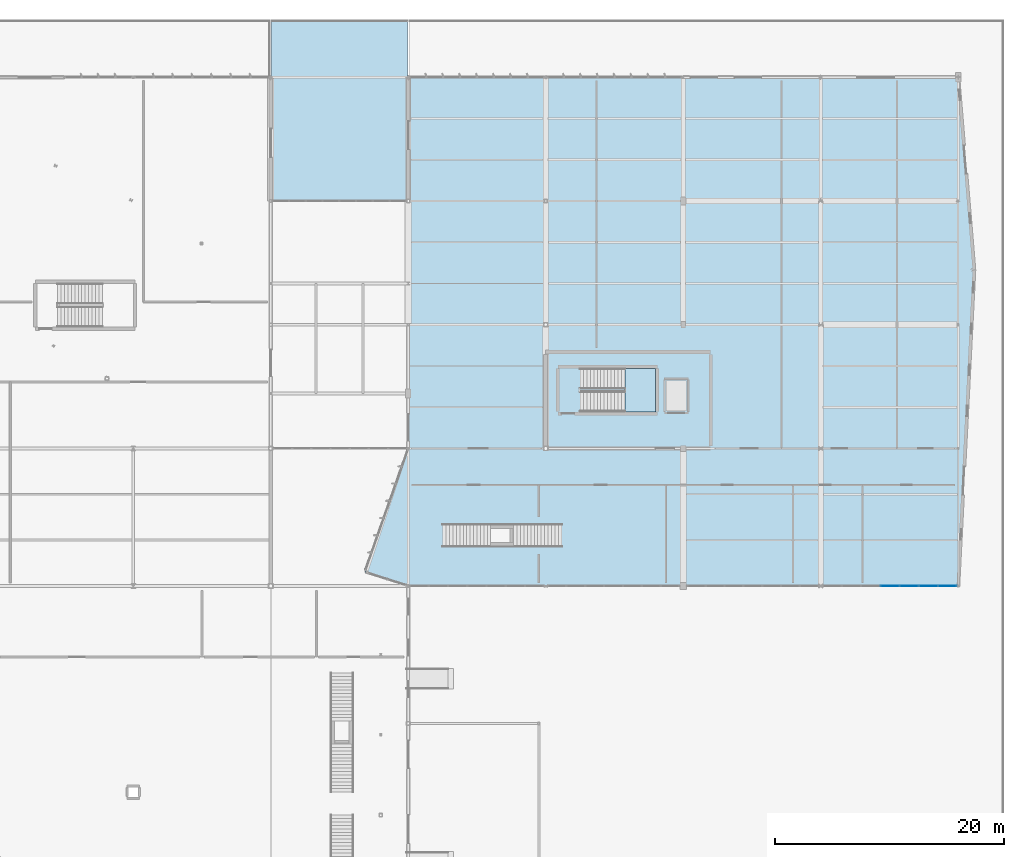
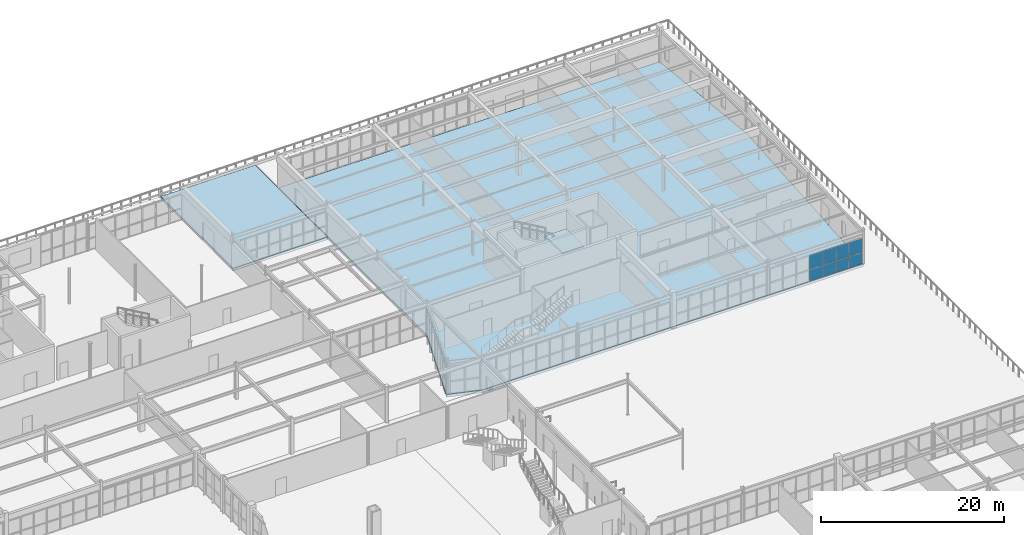
# One storey, part 127 of 199: 8 plates, 3 slabs, 2 elements without a shape of their own.
"""IFC4 building model written with IfcOpenShell, lengths in metres."""

from ifc_helpers import new_model, si_unit, direction, frame, origin, origin_2d, place, context, subcontext, project, spatial, polyline, rectangle, outline, extrude, material, layer, layer_set, type_object, element, aggregate, save


model = new_model("IFC4")

# Units and contexts
model_context = context("Model", 3, precision=1e-05, world=origin(), true_north=direction((0.0, 1.0)))
body_context = subcontext(model_context, "Body", "Model", "MODEL_VIEW")
ifc_project = project(units=[si_unit("LENGTHUNIT", "METRE"), si_unit("AREAUNIT", "SQUARE_METRE"), si_unit("VOLUMEUNIT", "CUBIC_METRE"), si_unit("PLANEANGLEUNIT", "RADIAN"), si_unit("MASSUNIT", "GRAM", prefix="KILO")], contexts=[model_context])

# Site, building, storey
site_placement = place(None, origin())
site = spatial("IfcSite", under=ifc_project, at=site_placement, CompositionType="ELEMENT")
building_placement = place(site_placement, origin())
building = spatial("IfcBuilding", under=site, at=building_placement, Name="Tarnwether General Hospital", CompositionType="ELEMENT")
storey_placement = place(building_placement, origin())
storey = spatial("IfcBuildingStorey", under=building, at=storey_placement, Name="L00", CompositionType="ELEMENT", Elevation=0.0)

# Curtain wall, plates
ifc_material_1 = material(Name="Anodised aluminium", Category="aluminium")
ifc_layer_1 = layer(ifc_material_1, 0.159912109375)
ifc_layer_set_1 = layer_set([ifc_layer_1], Name="Anodised aluminium")
curtain_wall_type = type_object("IfcCurtainWallType", Name="CW-20", PredefinedType="NOTDEFINED", material=ifc_layer_set_1)
curtain_wall_placement = place(storey_placement, origin())
curtain_wall = element("IfcCurtainWall", 1, at=curtain_wall_placement, inside=storey, type_object=curtain_wall_type, Name="Curtain Wall CWG-L00-1919_816-0290", PredefinedType="NOTDEFINED")
ifc_material_2 = material(Name="Double glazed low-E glass", Category="glass")
ifc_layer_2 = layer(ifc_material_2, 0.028076171875)
ifc_layer_set_2 = layer_set([ifc_layer_2], Name="Double glazed low-E glass")
plate_type = type_object("IfcPlateType", Name="PT-CWP1", PredefinedType="CURTAIN_PANEL", material=ifc_layer_set_2)
plate_1_placement = place(storey_placement, frame((191.061767578125, 81.60009765625, 0.06005859375), z_axis=(0.0, 0.0, 1.0), x_axis=(-1.0, 0.0, 0.0)))
plate_1 = element("IfcPlate", 2, at=plate_1_placement, type_object=plate_type, Name="CW-20 panel 1.1", PredefinedType="CURTAIN_PANEL", context=body_context, shape_type="SweptSolid", body=[
    extrude(rectangle(XDim=1.58837890625, YDim=0.028076171875, at=origin_2d()), origin(), (0.0, 0.0, 1.0), 1.49853515625),
])
plate_2_placement = place(storey_placement, frame((191.061767578125, 81.60009765625, 1.618408203125), z_axis=(0.0, 0.0, 1.0), x_axis=(-1.0, 0.0, 0.0)))
plate_2 = element("IfcPlate", 3, at=plate_2_placement, type_object=plate_type, Name="CW-20 panel 1.2", PredefinedType="CURTAIN_PANEL", context=body_context, shape_type="SweptSolid", body=[
    extrude(rectangle(XDim=1.58837890625, YDim=0.028076171875, at=origin_2d()), origin(), (0.0, 0.0, 1.0), 1.8515625),
])
plate_3_placement = place(storey_placement, frame((189.398681640625, 81.60009765625, 0.06005859375), z_axis=(0.0, 0.0, 1.0), x_axis=(-1.0, 0.0, 0.0)))
plate_3 = element("IfcPlate", 4, at=plate_3_placement, type_object=plate_type, Name="CW-20 panel 2.1", PredefinedType="CURTAIN_PANEL", context=body_context, shape_type="SweptSolid", body=[
    extrude(rectangle(XDim=1.6181640625, YDim=0.028076171875, at=origin_2d()), origin(), (0.0, 0.0, 1.0), 1.49853515625),
])
plate_4_placement = place(storey_placement, frame((189.398681640625, 81.60009765625, 1.618408203125), z_axis=(0.0, 0.0, 1.0), x_axis=(-1.0, 0.0, 0.0)))
plate_4 = element("IfcPlate", 5, at=plate_4_placement, type_object=plate_type, Name="CW-20 panel 2.2", PredefinedType="CURTAIN_PANEL", context=body_context, shape_type="SweptSolid", body=[
    extrude(rectangle(XDim=1.6181640625, YDim=0.028076171875, at=origin_2d()), origin(), (0.0, 0.0, 1.0), 1.8515625),
])
plate_5_placement = place(storey_placement, frame((187.72021484375, 81.60009765625, 0.06005859375), z_axis=(0.0, 0.0, 1.0), x_axis=(-1.0, 0.0, 0.0)))
plate_5 = element("IfcPlate", 6, at=plate_5_placement, type_object=plate_type, Name="CW-20 panel 3.1", PredefinedType="CURTAIN_PANEL", context=body_context, shape_type="SweptSolid", body=[
    extrude(rectangle(XDim=1.6181640625, YDim=0.028076171875, at=origin_2d()), origin(), (0.0, 0.0, 1.0), 1.49853515625),
])
plate_6_placement = place(storey_placement, frame((187.72021484375, 81.60009765625, 1.618408203125), z_axis=(0.0, 0.0, 1.0), x_axis=(-1.0, 0.0, 0.0)))
plate_6 = element("IfcPlate", 7, at=plate_6_placement, type_object=plate_type, Name="CW-20 panel 3.2", PredefinedType="CURTAIN_PANEL", context=body_context, shape_type="SweptSolid", body=[
    extrude(rectangle(XDim=1.6181640625, YDim=0.028076171875, at=origin_2d()), origin(), (0.0, 0.0, 1.0), 1.8515625),
])
plate_7_placement = place(storey_placement, frame((186.0419921875, 81.60009765625, 0.06005859375), z_axis=(0.0, 0.0, 1.0), x_axis=(-1.0, 0.0, 0.0)))
plate_7 = element("IfcPlate", 8, at=plate_7_placement, type_object=plate_type, Name="CW-20 panel 4.1", PredefinedType="CURTAIN_PANEL", context=body_context, shape_type="SweptSolid", body=[
    extrude(rectangle(XDim=1.6181640625, YDim=0.028076171875, at=origin_2d()), origin(), (0.0, 0.0, 1.0), 1.49853515625),
])
plate_8_placement = place(storey_placement, frame((186.0419921875, 81.60009765625, 1.618408203125), z_axis=(0.0, 0.0, 1.0), x_axis=(-1.0, 0.0, 0.0)))
plate_8 = element("IfcPlate", 9, at=plate_8_placement, type_object=plate_type, Name="CW-20 panel 4.2", PredefinedType="CURTAIN_PANEL", context=body_context, shape_type="SweptSolid", body=[
    extrude(rectangle(XDim=1.6181640625, YDim=0.028076171875, at=origin_2d()), origin(), (0.0, 0.0, 1.0), 1.8515625),
])
aggregate(curtain_wall, [plate_1, plate_2, plate_3, plate_4, plate_5, plate_6, plate_7, plate_8])

# Slab
ifc_material_3 = material(Name="Concrete 40 MPa", Category="concrete")
ifc_layer_3 = layer(ifc_material_3, 0.3798828125)
ifc_layer_set_3 = layer_set([ifc_layer_3], Name="Concrete 40 MPa")
slab_type_1 = type_object("IfcSlabType", Name="SL-BS300", PredefinedType="BASESLAB", material=ifc_layer_set_3)
slab_1_placement = place(storey_placement, frame((0.0, 0.0, -0.3798828125)))
element("IfcSlab", 10, at=slab_1_placement, inside=storey, type_object=slab_type_1, Name="L00 Outpatient North Shard Base Slab SL-L00-V6N", PredefinedType="BASESLAB", context=body_context, shape_type="SweptSolid", body=[
    extrude(outline(polyline([(144.0, 81.60009765625), (140.199951171875, 82.800048828125), (144.0, 93.60009765625), (144.0, 126.0), (192.0, 126.0), (193.39990234375, 109.199951171875), (192.0, 81.60009765625), (144.0, 81.60009765625)])), origin(), (0.0, 0.0, 1.0), 0.3798828125),
])

# Stair, slab
ifc_material_4 = material(Name="Concrete 40 MPa", Category="concrete")
stair_type = type_object("IfcStairType", Name="ST-DL48B", PredefinedType="HALF_TURN_STAIR", material=ifc_material_4)
stair_placement = place(storey_placement, origin())
stair = element("IfcStair", 11, at=stair_placement, inside=storey, type_object=stair_type, Name="L00 Exit Stair ST-06", PredefinedType="HALF_TURN_STAIR")
ifc_material_5 = material(Name="Concrete 40 MPa", Category="concrete")
ifc_layer_4 = layer(ifc_material_5, 0.199951171875)
ifc_layer_set_4 = layer_set([ifc_layer_4], Name="Concrete 40 MPa")
slab_type_2 = type_object("IfcSlabType", Name="SL-LD200", PredefinedType="LANDING", material=ifc_layer_set_4)
slab_2_placement = place(storey_placement, frame((0.0, 0.0, 2.199951171875)))
slab_2 = element("IfcSlab", 12, at=slab_2_placement, type_object=slab_type_2, Name="ST-06 landing 1", PredefinedType="LANDING", context=body_context, shape_type="SweptSolid", body=[
    extrude(outline(polyline([(162.89990234375, 96.800048828125), (165.60009765625, 96.800048828125), (165.60009765625, 100.60009765625), (162.89990234375, 100.60009765625), (162.89990234375, 96.800048828125)])), origin(), (0.0, 0.0, 1.0), 0.199951171875),
])
aggregate(stair, [slab_2])

# Slab
ifc_material_6 = material(Name="Concrete 40 MPa", Category="concrete")
ifc_layer_5 = layer(ifc_material_6, 0.360107421875)
ifc_layer_set_5 = layer_set([ifc_layer_5], Name="Concrete 40 MPa")
slab_type_3 = type_object("IfcSlabType", Name="SL-TR240", PredefinedType="FLOOR", material=ifc_layer_set_5)
slab_3_placement = place(storey_placement, frame((0.0, 0.0, -0.360107421875)))
element("IfcSlab", 13, at=slab_3_placement, inside=storey, type_object=slab_type_3, Name="L00 Upper Scarp Arrival Plaza and Street Terrace SL-L00-PLAZA-P2", PredefinedType="FLOOR", context=body_context, shape_type="SweptSolid", body=[
    extrude(outline(polyline([(143.949951171875, 131.0), (143.949951171875, 115.199951171875), (132.050048828125, 115.199951171875), (132.050048828125, 131.0), (143.949951171875, 131.0)])), origin(), (0.0, 0.0, 1.0), 0.360107421875),
])

save(model, "model.ifc")
